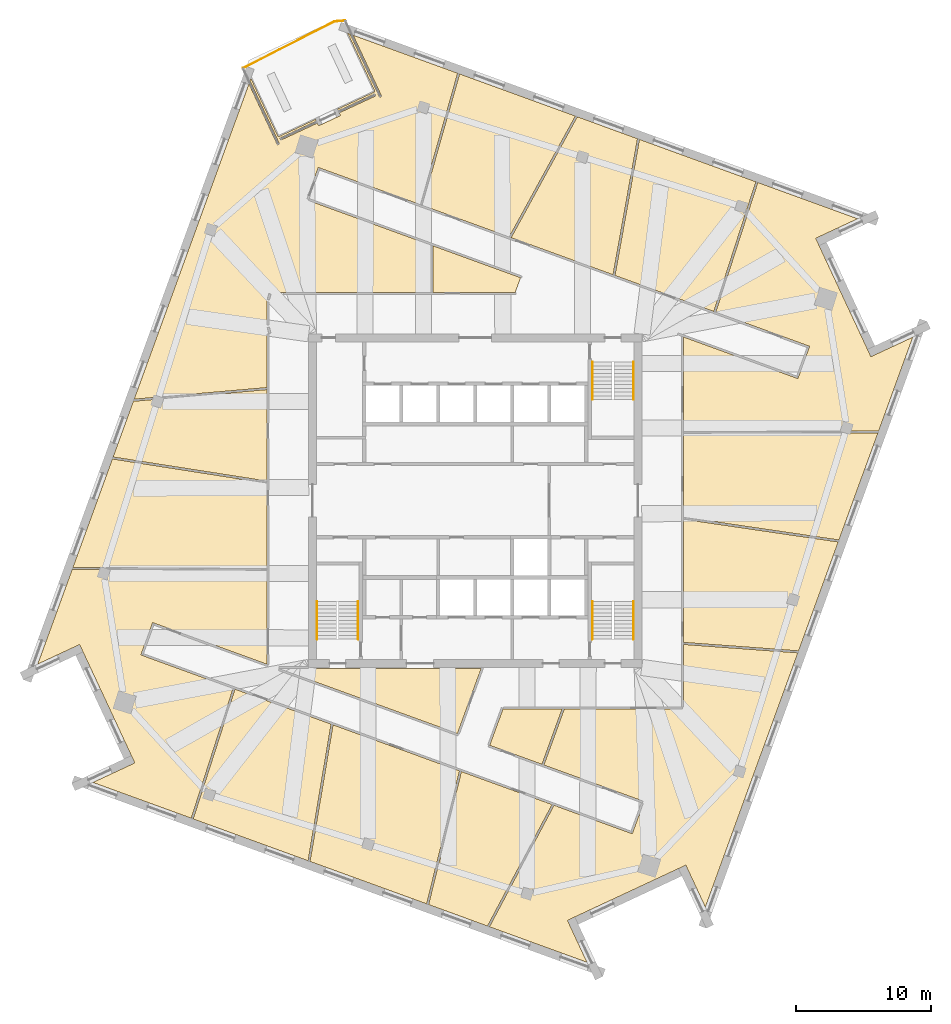
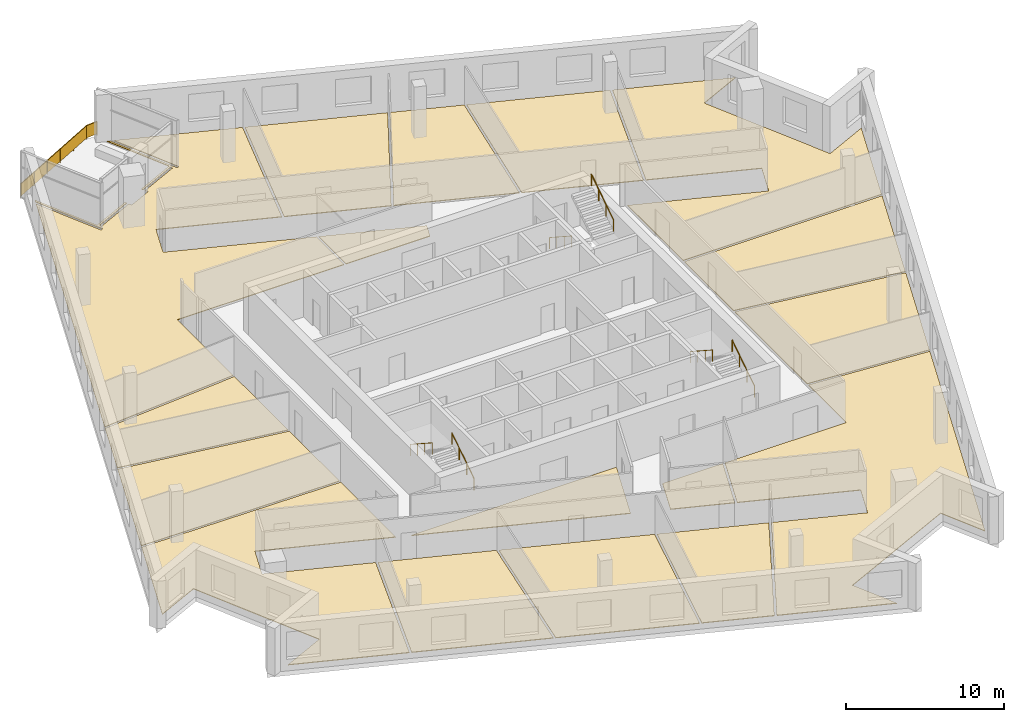
# One storey, part 12 of 13: 17 coverings, 7 railings.
"""IFC4 building model written with IfcOpenShell, lengths in metres."""

from ifc_helpers import new_model, si_unit, direction, frame, origin, origin_2d, place, context, subcontext, project, spatial, polyline, rectangle, circle, outline, extrude, material, layer, layer_set, type_object, element, save


model = new_model("IFC4")

# Units and contexts
model_context = context("Model", 3, precision=1e-05, world=origin(), true_north=direction((0.0, 1.0)))
body_context = subcontext(model_context, "Body", "Model", "MODEL_VIEW")
ifc_project = project(units=[si_unit("LENGTHUNIT", "METRE"), si_unit("AREAUNIT", "SQUARE_METRE"), si_unit("VOLUMEUNIT", "CUBIC_METRE"), si_unit("PLANEANGLEUNIT", "RADIAN"), si_unit("MASSUNIT", "GRAM", prefix="KILO")], contexts=[model_context])

# Site, building, storey
site_placement = place(None, origin())
site = spatial("IfcSite", under=ifc_project, at=site_placement, CompositionType="ELEMENT")
building_placement = place(site_placement, origin())
building = spatial("IfcBuilding", under=site, at=building_placement, Name="Dilmun Exchange Tower", CompositionType="ELEMENT")
storey_placement = place(building_placement, frame((0.0, 0.0, 312.5)))
storey = spatial("IfcBuildingStorey", under=building, at=storey_placement, Name="L74", CompositionType="ELEMENT", Elevation=312.5)

# Coverings
ifc_material_1 = material(Name="Carpet floor finish 50")
ifc_layer_1 = layer(ifc_material_1, 0.050048828125)
ifc_layer_set_1 = layer_set([ifc_layer_1], Name="Carpet floor finish 50")
covering_type_1 = type_object("IfcCoveringType", Name="Carpet floor finish 50", PredefinedType="FLOORING", material=ifc_layer_set_1)
covering_1_placement = place(storey_placement, origin())
element("IfcCovering", 1, at=covering_1_placement, inside=storey, type_object=covering_type_1, Name="Carpet floor finish 50 Co-working hall 1", PredefinedType="FLOORING", context=body_context, shape_type="SweptSolid", body=[
    extrude(outline(polyline([(-15.47509765625, -5.190185546875), (-15.47509765625, -12.161376953125), (-23.97412109375, -9.068115234375), (-24.84619140625, -11.464111328125), (-17.993896484375, -13.958251953125), (-21.103515625, -23.603515625), (-28.412841796875, -20.943359375), (-25.30224609375, -19.492919921875), (-25.302001953125, -19.49267578125), (-25.3017578125, -19.49267578125), (-25.3017578125, -19.492431640625), (-25.301513671875, -19.4921875), (-25.301513671875, -19.4921875), (-25.30126953125, -19.491943359375), (-25.30126953125, -19.491943359375), (-25.301025390625, -19.49169921875), (-25.301025390625, -19.491455078125), (-25.301025390625, -19.4912109375), (-25.301025390625, -19.4912109375), (-25.301025390625, -19.490966796875), (-25.301025390625, -19.49072265625), (-25.301025390625, -19.490478515625), (-25.301025390625, -19.490234375), (-25.30126953125, -19.489990234375), (-25.5546875, -18.9462890625), (-25.554931640625, -18.9462890625), (-25.554931640625, -18.946044921875), (-29.14697265625, -11.242919921875), (-29.14697265625, -11.24267578125), (-29.400634765625, -10.698974609375), (-29.400634765625, -10.69873046875), (-29.40087890625, -10.698486328125), (-29.40087890625, -10.698486328125), (-29.40087890625, -10.6982421875), (-29.401123046875, -10.6982421875), (-29.4013671875, -10.697998046875), (-29.401611328125, -10.697998046875), (-29.401611328125, -10.697998046875), (-29.40185546875, -10.697998046875), (-29.402099609375, -10.69775390625), (-29.40234375, -10.69775390625), (-29.402587890625, -10.69775390625), (-29.402587890625, -10.69775390625), (-29.40283203125, -10.697998046875), (-29.403076171875, -10.697998046875), (-29.4033203125, -10.697998046875), (-32.513916015625, -12.1484375), (-29.94921875, -5.102294921875), (-15.47509765625, -5.190185546875)])), origin(), (0.0, 0.0, 1.0), 0.050048828125),
])
covering_2_placement = place(storey_placement, origin())
element("IfcCovering", 2, at=covering_2_placement, inside=storey, type_object=covering_type_1, Name="Carpet floor finish 50 Members library 1", PredefinedType="FLOORING", context=body_context, shape_type="SweptSolid", body=[
    extrude(outline(polyline([(-15.47509765625, -5.040283203125), (-29.894775390625, -4.95263671875), (-26.965576171875, 3.095458984375), (-15.47509765625, 1.298828125), (-15.47509765625, -5.040283203125)])), origin(), (0.0, 0.0, 1.0), 0.050048828125),
])
covering_3_placement = place(storey_placement, origin())
element("IfcCovering", 3, at=covering_3_placement, inside=storey, type_object=covering_type_1, Name="Carpet floor finish 50 Serviced office 1", PredefinedType="FLOORING", context=body_context, shape_type="SweptSolid", body=[
    extrude(outline(polyline([(-15.47509765625, 8.248779296875), (-15.47509765625, 1.45068359375), (-26.913330078125, 3.239013671875), (-25.4052734375, 7.38232421875), (-15.47509765625, 8.248779296875)])), origin(), (0.0, 0.0, 1.0), 0.050048828125),
])
covering_4_placement = place(storey_placement, origin())
element("IfcCovering", 4, at=covering_4_placement, inside=storey, type_object=covering_type_1, Name="Carpet floor finish 50 Business centre", PredefinedType="FLOORING", context=body_context, shape_type="SweptSolid", body=[
    extrude(outline(polyline([(-12.4208984375, -26.763916015625), (-20.962646484375, -23.65478515625), (-17.852783203125, -14.009521484375), (-10.712890625, -16.6083984375), (-12.4208984375, -26.763916015625)])), origin(), (0.0, 0.0, 1.0), 0.050048828125),
])
covering_5_placement = place(storey_placement, origin())
element("IfcCovering", 5, at=covering_5_placement, inside=storey, type_object=covering_type_1, Name="Carpet floor finish 50 Garden lounge", PredefinedType="FLOORING", context=body_context, shape_type="SweptSolid", body=[
    extrude(outline(polyline([(-15.47509765625, 15.47509765625), (-15.47509765625, 8.399169921875), (-25.3486328125, 7.537841796875), (-16.817138671875, 30.977783203125), (-14.698486328125, 26.434326171875), (-14.698486328125, 26.43408203125), (-14.6982421875, 26.43408203125), (-14.6982421875, 26.433837890625), (-14.697998046875, 26.43359375), (-14.697998046875, 26.43359375), (-14.69775390625, 26.43359375), (-14.697509765625, 26.433349609375), (-14.697509765625, 26.433349609375), (-14.697265625, 26.433349609375), (-14.697021484375, 26.43310546875), (-14.69677734375, 26.43310546875), (-14.696533203125, 26.43310546875), (-14.6962890625, 26.43310546875), (-14.6962890625, 26.43310546875), (-14.696044921875, 26.433349609375), (-14.69580078125, 26.433349609375), (-14.55078125, 26.5009765625), (-14.55078125, 26.501220703125), (-14.550537109375, 26.501220703125), (-14.55029296875, 26.501220703125), (-14.55029296875, 26.50146484375), (-14.550048828125, 26.501708984375), (-14.550048828125, 26.501708984375), (-14.5498046875, 26.501953125), (-14.5498046875, 26.502197265625), (-14.5498046875, 26.502197265625), (-14.5498046875, 26.50244140625), (-14.5498046875, 26.502685546875), (-14.5498046875, 26.5029296875), (-14.5498046875, 26.503173828125), (-14.5498046875, 26.50341796875), (-14.5498046875, 26.50341796875), (-14.5498046875, 26.503662109375), (-16.73779296875, 31.19580078125), (-16.668701171875, 31.3857421875), (-14.64208984375, 27.039794921875), (-11.866943359375, 28.333984375), (-11.806640625, 28.204345703125), (-14.513916015625, 26.94189453125), (-14.513916015625, 26.94189453125), (-14.51416015625, 26.94189453125), (-14.51416015625, 26.941650390625), (-14.514404296875, 26.941650390625), (-14.514404296875, 26.94140625), (-14.5146484375, 26.941162109375), (-14.5146484375, 26.941162109375), (-14.514892578125, 26.94091796875), (-14.514892578125, 26.940673828125), (-14.514892578125, 26.9404296875), (-14.514892578125, 26.940185546875), (-14.514892578125, 26.940185546875), (-14.514892578125, 26.93994140625), (-14.514892578125, 26.939697265625), (-14.514892578125, 26.939453125), (-14.5146484375, 26.939453125), (-14.447021484375, 26.794189453125), (-14.447021484375, 26.794189453125), (-14.447021484375, 26.7939453125), (-14.44677734375, 26.7939453125), (-14.446533203125, 26.793701171875), (-14.446533203125, 26.793701171875), (-14.4462890625, 26.79345703125), (-14.4462890625, 26.79345703125), (-14.446044921875, 26.793212890625), (-14.44580078125, 26.793212890625), (-14.445556640625, 26.793212890625), (-14.4453125, 26.793212890625), (-14.4453125, 26.793212890625), (-14.445068359375, 26.793212890625), (-14.44482421875, 26.793212890625), (-14.444580078125, 26.793212890625), (-14.4443359375, 26.79345703125), (-11.7373046875, 28.0556640625), (-11.64501953125, 27.858154296875), (-11.64501953125, 27.85791015625), (-11.64501953125, 27.85791015625), (-11.644775390625, 27.857666015625), (-11.644775390625, 27.857421875), (-11.64453125, 27.857421875), (-11.644287109375, 27.857421875), (-11.644287109375, 27.857177734375), (-11.64404296875, 27.857177734375), (-11.643798828125, 27.857177734375), (-11.6435546875, 27.85693359375), (-11.643310546875, 27.85693359375), (-11.643310546875, 27.85693359375), (-11.64306640625, 27.85693359375), (-11.642822265625, 27.857177734375), (-11.642578125, 27.857177734375), (-11.642578125, 27.857177734375), (-10.010986328125, 28.617919921875), (-10.010986328125, 28.6181640625), (-10.0107421875, 28.6181640625), (-10.010498046875, 28.618408203125), (-10.010498046875, 28.618408203125), (-10.01025390625, 28.61865234375), (-10.01025390625, 28.618896484375), (-10.010009765625, 28.618896484375), (-10.010009765625, 28.619140625), (-10.010009765625, 28.619384765625), (-10.010009765625, 28.619384765625), (-10.010009765625, 28.61962890625), (-10.010009765625, 28.619873046875), (-10.010009765625, 28.6201171875), (-10.010009765625, 28.620361328125), (-10.010009765625, 28.62060546875), (-10.010009765625, 28.62060546875), (-10.102294921875, 28.818115234375), (-7.39501953125, 30.08056640625), (-7.39501953125, 30.080810546875), (-7.394775390625, 30.080810546875), (-7.39453125, 30.080810546875), (-7.394287109375, 30.0810546875), (-7.394287109375, 30.081298828125), (-7.394287109375, 30.081298828125), (-7.39404296875, 30.08154296875), (-7.39404296875, 30.081787109375), (-7.39404296875, 30.081787109375), (-7.393798828125, 30.08203125), (-7.393798828125, 30.082275390625), (-7.393798828125, 30.08251953125), (-7.393798828125, 30.082763671875), (-7.393798828125, 30.0830078125), (-7.39404296875, 30.0830078125), (-7.39404296875, 30.083251953125), (-7.461669921875, 30.228271484375), (-7.4619140625, 30.228515625), (-7.4619140625, 30.228515625), (-7.4619140625, 30.228759765625), (-7.462158203125, 30.22900390625), (-7.46240234375, 30.22900390625), (-7.46240234375, 30.22900390625), (-7.462646484375, 30.229248046875), (-7.462890625, 30.229248046875), (-7.462890625, 30.229248046875), (-7.463134765625, 30.2294921875), (-7.46337890625, 30.2294921875), (-7.463623046875, 30.2294921875), (-7.4638671875, 30.2294921875), (-7.464111328125, 30.229248046875), (-7.464111328125, 30.229248046875), (-7.46435546875, 30.229248046875), (-10.17138671875, 28.966796875), (-10.23193359375, 29.096435546875), (-7.456787109375, 30.390380859375), (-9.4833984375, 34.736328125), (-9.293212890625, 34.667236328125), (-7.105224609375, 29.97509765625), (-7.105224609375, 29.97509765625), (-7.10498046875, 29.974853515625), (-7.10498046875, 29.974609375), (-7.10498046875, 29.974609375), (-7.104736328125, 29.974365234375), (-7.1044921875, 29.974365234375), (-7.1044921875, 29.97412109375), (-7.104248046875, 29.97412109375), (-7.10400390625, 29.97412109375), (-7.103759765625, 29.97412109375), (-7.103515625, 29.97412109375), (-7.103515625, 29.97412109375), (-7.103271484375, 29.97412109375), (-7.10302734375, 29.97412109375), (-7.102783203125, 29.97412109375), (-7.102783203125, 29.97412109375), (-6.957763671875, 30.041748046875), (-6.95751953125, 30.0419921875), (-6.957275390625, 30.0419921875), (-6.957275390625, 30.0419921875), (-6.95703125, 30.042236328125), (-6.956787109375, 30.04248046875), (-6.956787109375, 30.04248046875), (-6.956787109375, 30.042724609375), (-6.95654296875, 30.04296875), (-6.95654296875, 30.043212890625), (-6.95654296875, 30.043212890625), (-6.95654296875, 30.04345703125), (-6.95654296875, 30.043701171875), (-6.95654296875, 30.0439453125), (-6.95654296875, 30.044189453125), (-6.95654296875, 30.044189453125), (-6.956787109375, 30.04443359375), (-9.0751953125, 34.587890625), (-1.306396484375, 31.76025390625), (-4.082275390625, 21.993408203125), (-11.664306640625, 24.7529296875), (-12.536376953125, 22.356689453125), (-3.30029296875, 18.9951171875), (-3.30029296875, 15.47509765625), (-15.47509765625, 15.47509765625)])), origin(), (0.0, 0.0, 1.0), 0.050048828125),
])
covering_6_placement = place(storey_placement, origin())
element("IfcCovering", 6, at=covering_6_placement, inside=storey, type_object=covering_type_1, Name="Carpet floor finish 50 Members library 2", PredefinedType="FLOORING", context=body_context, shape_type="SweptSolid", body=[
    extrude(outline(polyline([(-1.170166015625, -20.08154296875), (-3.611083984375, -29.970458984375), (-12.277587890625, -26.81591796875), (-10.569580078125, -16.660400390625), (-1.170166015625, -20.08154296875)])), origin(), (0.0, 0.0, 1.0), 0.050048828125),
])
covering_7_placement = place(storey_placement, origin())
element("IfcCovering", 7, at=covering_7_placement, inside=storey, type_object=covering_type_1, Name="Carpet floor finish 50 Serviced office 2", PredefinedType="FLOORING", context=body_context, shape_type="SweptSolid", body=[
    extrude(outline(polyline([(5.7119140625, -22.58642578125), (0.910400390625, -31.615966796875), (-3.46923828125, -30.02197265625), (-1.0283203125, -20.13330078125), (5.7119140625, -22.58642578125)])), origin(), (0.0, 0.0, 1.0), 0.050048828125),
])
covering_8_placement = place(storey_placement, origin())
element("IfcCovering", 8, at=covering_8_placement, inside=storey, type_object=covering_type_1, Name="Carpet floor finish 50 Serviced office 3", PredefinedType="FLOORING", context=body_context, shape_type="SweptSolid", body=[
    extrude(outline(polyline([(-1.1650390625, 31.708740234375), (7.440185546875, 28.57666015625), (2.52197265625, 19.589599609375), (-3.94091796875, 21.94189453125), (-1.1650390625, 31.708740234375)])), origin(), (0.0, 0.0, 1.0), 0.050048828125),
])
covering_9_placement = place(storey_placement, origin())
element("IfcCovering", 9, at=covering_9_placement, inside=storey, type_object=covering_type_1, Name="Carpet floor finish 50 Members lounge", PredefinedType="FLOORING", context=body_context, shape_type="SweptSolid", body=[
    extrude(outline(polyline([(5.8544921875, -22.63818359375), (11.664306640625, -24.7529296875), (12.536376953125, -22.356689453125), (5.098388671875, -19.6494140625), (6.617919921875, -15.47509765625), (15.47509765625, -15.47509765625), (15.47509765625, -10.68603515625), (23.97509765625, -11.31201171875), (17.09814453125, -30.205810546875), (15.647705078125, -27.09521484375), (15.647705078125, -27.094970703125), (15.6474609375, -27.0947265625), (15.6474609375, -27.0947265625), (15.647216796875, -27.094482421875), (15.647216796875, -27.094482421875), (15.64697265625, -27.09423828125), (15.646728515625, -27.09423828125), (15.646484375, -27.093994140625), (15.646484375, -27.093994140625), (15.646240234375, -27.093994140625), (15.64599609375, -27.093994140625), (15.645751953125, -27.093994140625), (15.6455078125, -27.093994140625), (15.6455078125, -27.093994140625), (15.645263671875, -27.093994140625), (15.64501953125, -27.09423828125), (15.101318359375, -27.34765625), (15.101318359375, -27.34765625), (15.101318359375, -27.347900390625), (7.397705078125, -30.93994140625), (7.3974609375, -30.940185546875), (7.397216796875, -30.940185546875), (7.397216796875, -30.940185546875), (6.85400390625, -31.193603515625), (6.853759765625, -31.193603515625), (6.853515625, -31.19384765625), (6.853515625, -31.19384765625), (6.853271484375, -31.194091796875), (6.85302734375, -31.194091796875), (6.85302734375, -31.1943359375), (6.852783203125, -31.194580078125), (6.852783203125, -31.194580078125), (6.852783203125, -31.19482421875), (6.852783203125, -31.195068359375), (6.852783203125, -31.1953125), (6.852783203125, -31.195556640625), (6.852783203125, -31.19580078125), (6.852783203125, -31.19580078125), (6.852783203125, -31.196044921875), (6.852783203125, -31.1962890625), (8.303466796875, -34.306884765625), (1.052490234375, -31.667724609375), (5.8544921875, -22.63818359375)])), origin(), (0.0, 0.0, 1.0), 0.050048828125),
])
covering_10_placement = place(storey_placement, origin())
element("IfcCovering", 10, at=covering_10_placement, inside=storey, type_object=covering_type_1, Name="Carpet floor finish 50 Serviced office 4", PredefinedType="FLOORING", context=body_context, shape_type="SweptSolid", body=[
    extrude(outline(polyline([(10.383056640625, 16.728271484375), (12.201171875, 26.843994140625), (20.85498046875, 23.694091796875), (17.7294921875, 14.054443359375), (10.383056640625, 16.728271484375)])), origin(), (0.0, 0.0, 1.0), 0.050048828125),
])
covering_11_placement = place(storey_placement, origin())
element("IfcCovering", 11, at=covering_11_placement, inside=storey, type_object=covering_type_1, Name="Carpet floor finish 50 Meeting room", PredefinedType="FLOORING", context=body_context, shape_type="SweptSolid", body=[
    extrude(outline(polyline([(15.47509765625, -1.3837890625), (26.974609375, -3.0703125), (24.0283203125, -11.165283203125), (15.47509765625, -10.53564453125), (15.47509765625, -1.3837890625)])), origin(), (0.0, 0.0, 1.0), 0.050048828125),
])
covering_12_placement = place(storey_placement, origin())
element("IfcCovering", 12, at=covering_12_placement, inside=storey, type_object=covering_type_1, Name="Carpet floor finish 50 Members library 3", PredefinedType="FLOORING", context=body_context, shape_type="SweptSolid", body=[
    extrude(outline(polyline([(29.92431640625, 5.0341796875), (27.027099609375, -2.92626953125), (15.47509765625, -1.232177734375), (15.47509765625, 4.993896484375), (29.92431640625, 5.0341796875)])), origin(), (0.0, 0.0, 1.0), 0.050048828125),
])
covering_13_placement = place(storey_placement, origin())
element("IfcCovering", 13, at=covering_13_placement, inside=storey, type_object=covering_type_1, Name="Carpet floor finish 50 Co-working hall 2", PredefinedType="FLOORING", context=body_context, shape_type="SweptSolid", body=[
    extrude(outline(polyline([(15.47509765625, 5.14404296875), (15.47509765625, 12.161376953125), (23.97412109375, 9.068115234375), (24.84619140625, 11.464111328125), (17.87060546875, 14.003173828125), (20.99609375, 23.642578125), (28.412841796875, 20.943359375), (25.30224609375, 19.492919921875), (25.302001953125, 19.49267578125), (25.3017578125, 19.49267578125), (25.3017578125, 19.492431640625), (25.301513671875, 19.4921875), (25.301513671875, 19.4921875), (25.30126953125, 19.491943359375), (25.30126953125, 19.491943359375), (25.301025390625, 19.49169921875), (25.301025390625, 19.491455078125), (25.301025390625, 19.4912109375), (25.301025390625, 19.4912109375), (25.301025390625, 19.490966796875), (25.301025390625, 19.49072265625), (25.301025390625, 19.490478515625), (25.301025390625, 19.490234375), (25.30126953125, 19.489990234375), (25.5546875, 18.9462890625), (25.554931640625, 18.9462890625), (25.554931640625, 18.946044921875), (29.14697265625, 11.242919921875), (29.14697265625, 11.24267578125), (29.400634765625, 10.698974609375), (29.400634765625, 10.69873046875), (29.40087890625, 10.698486328125), (29.40087890625, 10.698486328125), (29.40087890625, 10.6982421875), (29.401123046875, 10.6982421875), (29.4013671875, 10.697998046875), (29.401611328125, 10.697998046875), (29.401611328125, 10.697998046875), (29.40185546875, 10.697998046875), (29.402099609375, 10.69775390625), (29.40234375, 10.69775390625), (29.402587890625, 10.69775390625), (29.402587890625, 10.69775390625), (29.40283203125, 10.697998046875), (29.403076171875, 10.697998046875), (29.4033203125, 10.697998046875), (32.513916015625, 12.1484375), (29.97900390625, 5.18408203125), (15.47509765625, 5.14404296875)])), origin(), (0.0, 0.0, 1.0), 0.050048828125),
])

# Railings
ifc_material_2 = material(Name="Stainless steel", Category="steel")
railing_type_1 = type_object("IfcRailingType", Name="Stair handrail 900", PredefinedType="HANDRAIL", material=ifc_material_2)
railing_1_placement = place(storey_placement, frame((8.699951171875, 10.300048828125, 0.181884765625)))
element("IfcRailing", 14, at=railing_1_placement, inside=storey, type_object=railing_type_1, Name="L74 ST1 stair handrail 1", PredefinedType="HANDRAIL", context=body_context, shape_type="SweptSolid", body=[
    extrude(circle(Radius=0.02392578125, at=origin_2d()), frame((0.0, 0.0, 0.8759765625), z_axis=(0.0, -0.838705829183, 0.544584733623), x_axis=(1.0, 0.0, 0.0)), (0.0, 0.0, 1.0), 3.338623046875),
    extrude(circle(Radius=0.02099609375, at=origin_2d()), origin(), (0.0, 0.0, 1.0), 0.851806640625),
    extrude(circle(Radius=0.02099609375, at=origin_2d()), frame((0.0, -0.933349609375, 0.60595703125)), (0.0, 0.0, 1.0), 0.851806640625),
    extrude(circle(Radius=0.02099609375, at=origin_2d()), frame((0.0, -1.86669921875, 1.212158203125)), (0.0, 0.0, 1.0), 0.851806640625),
    extrude(circle(Radius=0.02099609375, at=origin_2d()), frame((0.0, -2.800048828125, 1.818115234375)), (0.0, 0.0, 1.0), 0.851806640625),
])
for number, where, name in (
    (15, (11.75, 7.5, 2.181884765625), "L74 ST1 stair handrail 2"),
    (16, (-8.699951171875, -10.300048828125, 0.181884765625), "L74 ST2 stair handrail 1"),
):
    element("IfcRailing", number, at=place(storey_placement, frame(where)), inside=storey, type_object=railing_type_1, Name=name, PredefinedType="HANDRAIL", context=body_context, shape_type="SweptSolid", body=[
        extrude(circle(Radius=0.02392578125, at=origin_2d()), frame((0.0, 0.0, 0.8759765625), z_axis=(0.0, 0.838705829183, 0.544584733623), x_axis=(-1.0, 0.0, 0.0)), (0.0, 0.0, 1.0), 3.338623046875),
        extrude(circle(Radius=0.02099609375, at=origin_2d()), origin(), (0.0, 0.0, 1.0), 0.851806640625),
        extrude(circle(Radius=0.02099609375, at=origin_2d()), frame((0.0, 0.933349609375, 0.60595703125)), (0.0, 0.0, 1.0), 0.851806640625),
        extrude(circle(Radius=0.02099609375, at=origin_2d()), frame((0.0, 1.86669921875, 1.212158203125)), (0.0, 0.0, 1.0), 0.851806640625),
        extrude(circle(Radius=0.02099609375, at=origin_2d()), frame((0.0, 2.800048828125, 1.818115234375)), (0.0, 0.0, 1.0), 0.851806640625),
    ])
railing_2_placement = place(storey_placement, frame((-11.75, -7.5, 2.181884765625)))
element("IfcRailing", 17, at=railing_2_placement, inside=storey, type_object=railing_type_1, Name="L74 ST2 stair handrail 2", PredefinedType="HANDRAIL", context=body_context, shape_type="SweptSolid", body=[
    extrude(circle(Radius=0.02392578125, at=origin_2d()), frame((0.0, 0.0, 0.8759765625), z_axis=(0.0, -0.838705829183, 0.544584733623), x_axis=(1.0, 0.0, 0.0)), (0.0, 0.0, 1.0), 3.338623046875),
    extrude(circle(Radius=0.02099609375, at=origin_2d()), origin(), (0.0, 0.0, 1.0), 0.851806640625),
    extrude(circle(Radius=0.02099609375, at=origin_2d()), frame((0.0, -0.933349609375, 0.60595703125)), (0.0, 0.0, 1.0), 0.851806640625),
    extrude(circle(Radius=0.02099609375, at=origin_2d()), frame((0.0, -1.86669921875, 1.212158203125)), (0.0, 0.0, 1.0), 0.851806640625),
    extrude(circle(Radius=0.02099609375, at=origin_2d()), frame((0.0, -2.800048828125, 1.818115234375)), (0.0, 0.0, 1.0), 0.851806640625),
])
railing_3_placement = place(storey_placement, frame((11.75, -10.300048828125, 0.181884765625)))
element("IfcRailing", 18, at=railing_3_placement, inside=storey, type_object=railing_type_1, Name="L74 ST3 stair handrail 1", PredefinedType="HANDRAIL", context=body_context, shape_type="SweptSolid", body=[
    extrude(circle(Radius=0.02392578125, at=origin_2d()), frame((0.0, 0.0, 0.8759765625), z_axis=(0.0, 0.838705829183, 0.544584733623), x_axis=(-1.0, 0.0, 0.0)), (0.0, 0.0, 1.0), 3.338623046875),
    extrude(circle(Radius=0.02099609375, at=origin_2d()), origin(), (0.0, 0.0, 1.0), 0.851806640625),
    extrude(circle(Radius=0.02099609375, at=origin_2d()), frame((0.0, 0.933349609375, 0.60595703125)), (0.0, 0.0, 1.0), 0.851806640625),
    extrude(circle(Radius=0.02099609375, at=origin_2d()), frame((0.0, 1.86669921875, 1.212158203125)), (0.0, 0.0, 1.0), 0.851806640625),
    extrude(circle(Radius=0.02099609375, at=origin_2d()), frame((0.0, 2.800048828125, 1.818115234375)), (0.0, 0.0, 1.0), 0.851806640625),
])
railing_4_placement = place(storey_placement, frame((8.699951171875, -7.5, 2.181884765625)))
element("IfcRailing", 19, at=railing_4_placement, inside=storey, type_object=railing_type_1, Name="L74 ST3 stair handrail 2", PredefinedType="HANDRAIL", context=body_context, shape_type="SweptSolid", body=[
    extrude(circle(Radius=0.02392578125, at=origin_2d()), frame((0.0, 0.0, 0.8759765625), z_axis=(0.0, -0.838705829183, 0.544584733623), x_axis=(1.0, 0.0, 0.0)), (0.0, 0.0, 1.0), 3.338623046875),
    extrude(circle(Radius=0.02099609375, at=origin_2d()), origin(), (0.0, 0.0, 1.0), 0.851806640625),
    extrude(circle(Radius=0.02099609375, at=origin_2d()), frame((0.0, -0.933349609375, 0.60595703125)), (0.0, 0.0, 1.0), 0.851806640625),
    extrude(circle(Radius=0.02099609375, at=origin_2d()), frame((0.0, -1.86669921875, 1.212158203125)), (0.0, 0.0, 1.0), 0.851806640625),
    extrude(circle(Radius=0.02099609375, at=origin_2d()), frame((0.0, -2.800048828125, 1.818115234375)), (0.0, 0.0, 1.0), 0.851806640625),
])

# Covering
ifc_material_3 = material(Name="Stone floor finish 50", Category="masonry")
ifc_layer_2 = layer(ifc_material_3, 0.050048828125)
ifc_layer_set_2 = layer_set([ifc_layer_2], Name="Stone floor finish 50")
covering_type_2 = type_object("IfcCoveringType", Name="Stone floor finish 50", PredefinedType="FLOORING", material=ifc_layer_set_2)
covering_14_placement = place(storey_placement, origin())
element("IfcCovering", 20, at=covering_14_placement, inside=storey, type_object=covering_type_2, Name="Stone floor finish 50 Reception", PredefinedType="FLOORING", context=body_context, shape_type="SweptSolid", body=[
    extrude(outline(polyline([(2.66455078125, 19.53759765625), (7.582763671875, 28.52490234375), (12.05810546875, 26.89599609375), (10.239990234375, 16.780517578125), (2.66455078125, 19.53759765625)])), origin(), (0.0, 0.0, 1.0), 0.050048828125),
])

# Railing
railing_type_2 = type_object("IfcRailingType", Name="Terrace guard 1100 stainless steel", PredefinedType="GUARDRAIL", material=ifc_material_2)
railing_5_placement = place(storey_placement, frame((-17.26416015625, 32.130126953125, 0.0)))
element("IfcRailing", 21, at=railing_5_placement, inside=storey, type_object=railing_type_2, Name="Terrace guard 1", PredefinedType="GUARDRAIL", context=body_context, shape_type="SweptSolid", body=[
    extrude(circle(Radius=0.02392578125, at=origin_2d()), frame((0.0, 0.0, 1.076171875), z_axis=(0.89044821025, 0.455084590887, 0.0), x_axis=(-0.455084590887, 0.89044821025, 0.0)), (0.0, 0.0, 1.0), 7.63818359375),
    extrude(rectangle(XDim=0.011962890625, YDim=0.951904296875, at=origin_2d()), frame((0.0, 0.0, 0.576171875), z_axis=(0.89044821025, 0.455084590887, 0.0), x_axis=(-0.455084590887, 0.89044821025, 0.0)), (0.0, 0.0, 1.0), 7.63818359375),
    extrude(circle(Radius=0.02392578125, at=origin_2d()), frame((6.801513671875, 3.47607421875, 1.076171875), z_axis=(0.996678000504, 0.081443006517, 0.0), x_axis=(-0.081443006517, 0.996678000504, 0.0)), (0.0, 0.0, 1.0), 0.79443359375),
    extrude(rectangle(XDim=0.011962890625, YDim=0.951904296875, at=origin_2d()), frame((6.801513671875, 3.47607421875, 0.576171875), z_axis=(0.996678000504, 0.081443006517, 0.0), x_axis=(-0.081443006517, 0.996678000504, 0.0)), (0.0, 0.0, 1.0), 0.79443359375),
    extrude(circle(Radius=0.02099609375, at=origin_2d()), origin(), (0.0, 0.0, 1.0), 1.052001953125),
    extrude(circle(Radius=0.02099609375, at=origin_2d()), frame((1.3603515625, 0.6953125, 0.0)), (0.0, 0.0, 1.0), 1.052001953125),
    extrude(circle(Radius=0.02099609375, at=origin_2d()), frame((2.720703125, 1.390380859375, 0.0)), (0.0, 0.0, 1.0), 1.052001953125),
    extrude(circle(Radius=0.02099609375, at=origin_2d()), frame((4.080810546875, 2.085693359375, 0.0)), (0.0, 0.0, 1.0), 1.052001953125),
    extrude(circle(Radius=0.02099609375, at=origin_2d()), frame((5.441162109375, 2.78076171875, 0.0)), (0.0, 0.0, 1.0), 1.052001953125),
    extrude(circle(Radius=0.02099609375, at=origin_2d()), frame((6.801513671875, 3.47607421875, 0.0)), (0.0, 0.0, 1.0), 1.052001953125),
    extrude(circle(Radius=0.02099609375, at=origin_2d()), frame((7.59326171875, 3.540771484375, 0.0)), (0.0, 0.0, 1.0), 1.052001953125),
])

# Coverings
ifc_material_4 = material(Name="Tile floor finish 50")
ifc_layer_3 = layer(ifc_material_4, 0.050048828125)
ifc_layer_set_3 = layer_set([ifc_layer_3], Name="Tile floor finish 50")
covering_type_3 = type_object("IfcCoveringType", Name="Tile floor finish 50", PredefinedType="FLOORING", material=ifc_layer_set_3)
covering_15_placement = place(storey_placement, origin())
element("IfcCovering", 22, at=covering_15_placement, inside=storey, type_object=covering_type_3, Name="Tile floor finish 50 Pantry 1", PredefinedType="FLOORING", context=body_context, shape_type="SweptSolid", body=[
    extrude(outline(polyline([(0.439208984375, -12.47509765625), (-1.32177734375, -17.312744140625), (-14.519287109375, -12.50927734375), (-14.513427734375, -12.47509765625), (0.439208984375, -12.47509765625)])), origin(), (0.0, 0.0, 1.0), 0.050048828125),
])
covering_16_placement = place(storey_placement, origin())
element("IfcCovering", 23, at=covering_16_placement, inside=storey, type_object=covering_type_3, Name="Tile floor finish 50 Pantry 2", PredefinedType="FLOORING", context=body_context, shape_type="SweptSolid", body=[
    extrude(outline(polyline([(2.970947265625, 15.47509765625), (-3.150390625, 15.47509765625), (-3.150390625, 18.9404296875), (3.36865234375, 16.567626953125), (2.970947265625, 15.47509765625)])), origin(), (0.0, 0.0, 1.0), 0.050048828125),
])
covering_17_placement = place(storey_placement, origin())
element("IfcCovering", 24, at=covering_17_placement, inside=storey, type_object=covering_type_3, Name="Tile floor finish 50 Pantry 3", PredefinedType="FLOORING", context=body_context, shape_type="SweptSolid", body=[
    extrude(outline(polyline([(4.95751953125, -19.59814453125), (1.074462890625, -18.184814453125), (2.060791015625, -15.47509765625), (6.458251953125, -15.47509765625), (4.95751953125, -19.59814453125)])), origin(), (0.0, 0.0, 1.0), 0.050048828125),
])

save(model, "model.ifc")
